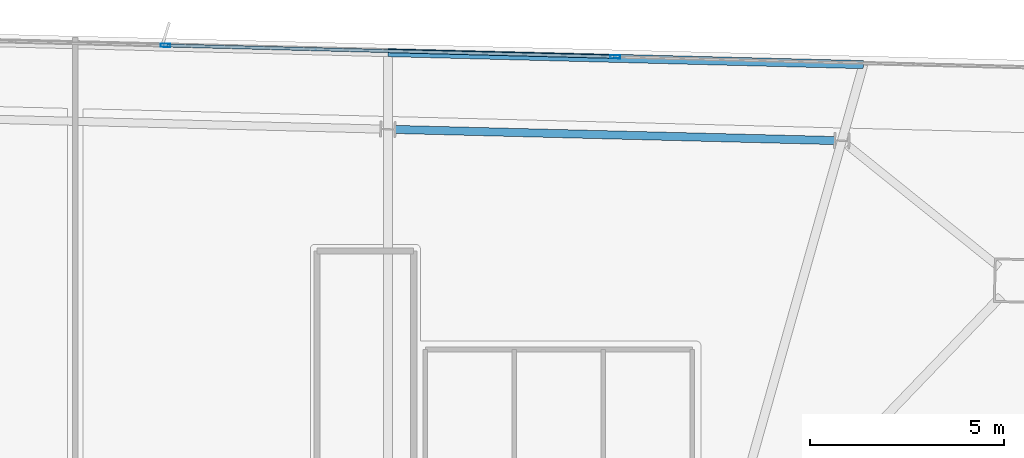
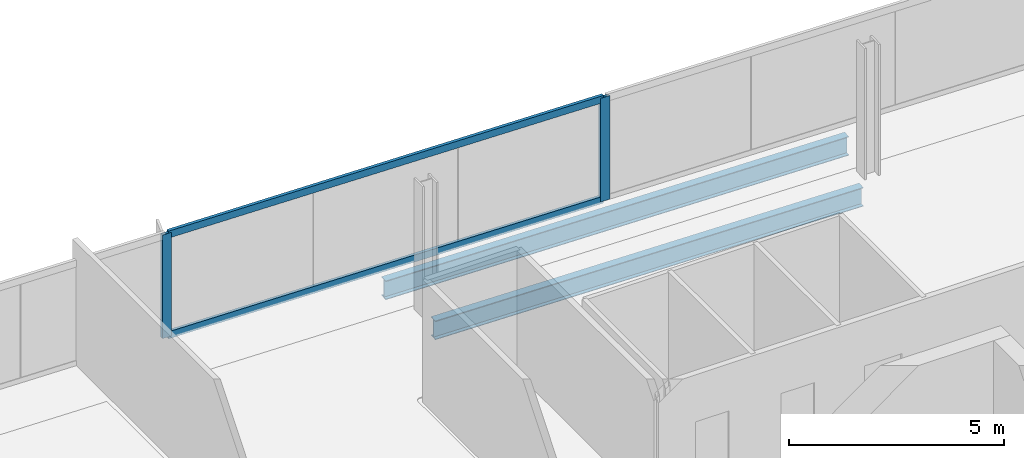
# One storey, part 15 of 25: 4 members, 2 beams, 1 element without a shape of its own.
"""IFC4 building model written with IfcOpenShell, lengths in metres."""

from ifc_helpers import new_model, si_unit, direction, frame, origin, origin_2d, place, context, subcontext, project, spatial, hollow_rectangle, i_section, extrude, material, material_profile, profile_set, type_object, element, aggregate, save


model = new_model("IFC4")

# Units and contexts
model_context = context("Model", 3, precision=1e-05, world=origin(), true_north=direction((0.0, 1.0)))
body_context = subcontext(model_context, "Body", "Model", "MODEL_VIEW")
ifc_project = project(units=[si_unit("LENGTHUNIT", "METRE"), si_unit("AREAUNIT", "SQUARE_METRE"), si_unit("VOLUMEUNIT", "CUBIC_METRE"), si_unit("PLANEANGLEUNIT", "RADIAN"), si_unit("MASSUNIT", "GRAM", prefix="KILO")], contexts=[model_context])

# Site, building, storey
site_placement = place(None, origin())
site = spatial("IfcSite", under=ifc_project, at=site_placement, CompositionType="ELEMENT")
building_placement = place(site_placement, origin())
building = spatial("IfcBuilding", under=site, at=building_placement, Name="Haldenkirk Collegiate Tower", CompositionType="ELEMENT")
storey_placement = place(building_placement, frame((0.0, 0.0, 325.199951171875)))
storey = spatial("IfcBuildingStorey", under=building, at=storey_placement, Name="L82", CompositionType="ELEMENT", Elevation=325.199951171875)

# Beams
ifc_material_1 = material(Name="Steel ASTM A992 Grade 50", Category="steel")
ifc_material_profile_1 = material_profile(ifc_material_1, i_section(OverallWidth=0.2099609375, OverallDepth=0.537109375, WebThickness=0.010986328125, FlangeThickness=0.017333984375, at=origin_2d()), Name="W21X68")
ifc_profile_set_1 = profile_set([ifc_material_profile_1], Name="Steel ASTM A992 Grade 50")
beam_type = type_object("IfcBeamType", Name="BM-SPANDREL-W21X68", PredefinedType="SPANDREL", material=ifc_profile_set_1)
beam_1_placement = place(storey_placement, frame((48.123779296875, 45.74951171875, -0.528564453125), z_axis=(-0.999679864584, 0.025301548267, 0.0), x_axis=(-0.025301548267, -0.999679864584, 0.0)))
element("IfcBeam", 1, at=beam_1_placement, inside=storey, type_object=beam_type, Name="L82 perimeter spandrel beam 06", PredefinedType="SPANDREL", context=body_context, shape_type="SweptSolid", body=[
    extrude(i_section(OverallWidth=0.2099609375, OverallDepth=0.537109375, WebThickness=0.010986328125, FlangeThickness=0.017333984375, at=origin_2d()), origin(), (0.0, 0.0, 1.0), 11.357177734375),
])
beam_2_placement = place(storey_placement, frame((48.8662109375, 47.71142578125, -0.528564453125), z_axis=(-0.999680093239, 0.025292512346, 0.0), x_axis=(-0.025292512346, -0.999680093239, 0.0)))
element("IfcBeam", 2, at=beam_2_placement, inside=storey, type_object=beam_type, Name="L82 outer facade edge beam 2A", PredefinedType="SPANDREL", context=body_context, shape_type="SweptSolid", body=[
    extrude(i_section(OverallWidth=0.2099609375, OverallDepth=0.537109375, WebThickness=0.010986328125, FlangeThickness=0.017333984375, at=origin_2d()), origin(), (0.0, 0.0, 1.0), 12.287841796875),
])

# Curtain wall, members
ifc_material_2 = material(Name="Anodised architectural bronze aluminium", Category="aluminium")
curtain_wall_type = type_object("IfcCurtainWallType", Name="CW-SYS1B-CONVEX-HI", PredefinedType="USERDEFINED", material=ifc_material_2)
curtain_wall_placement = place(storey_placement, origin())
curtain_wall = element("IfcCurtainWall", 3, at=curtain_wall_placement, inside=storey, type_object=curtain_wall_type, Name="L82 Upper tower high-wind convex bronze unitised curtain wall", ObjectType="UNITISED CURTAIN WALL", PredefinedType="USERDEFINED")
ifc_material_profile_2 = material_profile(ifc_material_2, hollow_rectangle(XDim=0.0849609375, YDim=0.25, WallThickness=0.0048828125, at=origin_2d()), Name="CW-MUL-1B")
ifc_profile_set_2 = profile_set([ifc_material_profile_2], Name="Anodised architectural bronze aluminium")
member_type_1 = type_object("IfcMemberType", Name="CW-MUL-1B", PredefinedType="MULLION", material=ifc_profile_set_2)
member_1_placement = place(storey_placement, frame((30.835205078125, 48.207763671875, 0.0), z_axis=(0.0, 0.0, 1.0), x_axis=(0.0253046831, 0.999679785238, 0.0)))
member_1 = element("IfcMember", 4, at=member_1_placement, type_object=member_type_1, Name="CW-1B mullion 2", PredefinedType="MULLION", context=body_context, shape_type="SweptSolid", body=[
    extrude(hollow_rectangle(XDim=0.0849609375, YDim=0.25, WallThickness=0.0048828125, at=origin_2d()), origin(), (0.0, 0.0, 1.0), 2.947998046875),
])
member_2_placement = place(storey_placement, frame((42.45654296875, 47.91357421875, 0.0), z_axis=(0.0, 0.0, 1.0), x_axis=(0.0253046831, 0.999679785238, 0.0)))
member_2 = element("IfcMember", 5, at=member_2_placement, type_object=member_type_1, Name="CW-1B mullion 3", PredefinedType="MULLION", context=body_context, shape_type="SweptSolid", body=[
    extrude(hollow_rectangle(XDim=0.0849609375, YDim=0.25, WallThickness=0.0048828125, at=origin_2d()), origin(), (0.0, 0.0, 1.0), 2.947998046875),
])
ifc_material_profile_3 = material_profile(ifc_material_2, hollow_rectangle(XDim=0.0849609375, YDim=0.199951171875, WallThickness=0.0048828125, at=origin_2d()), Name="CW-TRN-1B")
ifc_profile_set_3 = profile_set([ifc_material_profile_3], Name="Anodised architectural bronze aluminium")
member_type_2 = type_object("IfcMemberType", Name="CW-TRN-1B", PredefinedType="USERDEFINED", material=ifc_profile_set_3)
member_3_placement = place(storey_placement, frame((30.877685546875, 48.206787109375, 0.04248046875), z_axis=(0.999679841536, -0.025302458902, 0.0), x_axis=(0.025302458902, 0.999679841536, 0.0)))
member_3 = element("IfcMember", 6, at=member_3_placement, type_object=member_type_2, Name="CW-1B transom 2.1", ObjectType="TRANSOM", PredefinedType="USERDEFINED", context=body_context, shape_type="SweptSolid", body=[
    extrude(hollow_rectangle(XDim=0.0849609375, YDim=0.199951171875, WallThickness=0.0048828125, at=origin_2d()), origin(), (0.0, 0.0, 1.0), 11.5400390625),
])
member_4_placement = place(storey_placement, frame((30.877685546875, 48.206787109375, 2.905517578125), z_axis=(0.999679841536, -0.025302458902, 0.0), x_axis=(0.025302458902, 0.999679841536, 0.0)))
member_4 = element("IfcMember", 7, at=member_4_placement, type_object=member_type_2, Name="CW-1B transom 2.2", ObjectType="TRANSOM", PredefinedType="USERDEFINED", context=body_context, shape_type="SweptSolid", body=[
    extrude(hollow_rectangle(XDim=0.0849609375, YDim=0.199951171875, WallThickness=0.0048828125, at=origin_2d()), origin(), (0.0, 0.0, 1.0), 11.5400390625),
])
aggregate(curtain_wall, [member_1, member_2, member_3, member_4])

save(model, "model.ifc")
